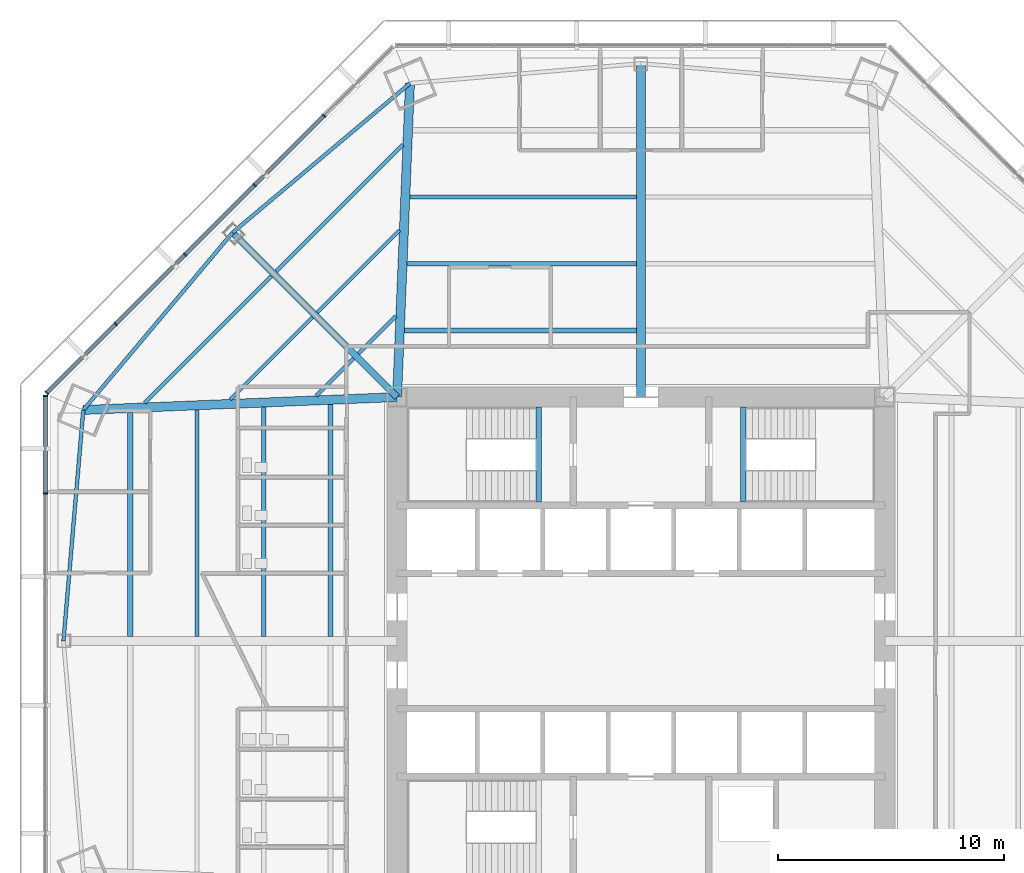
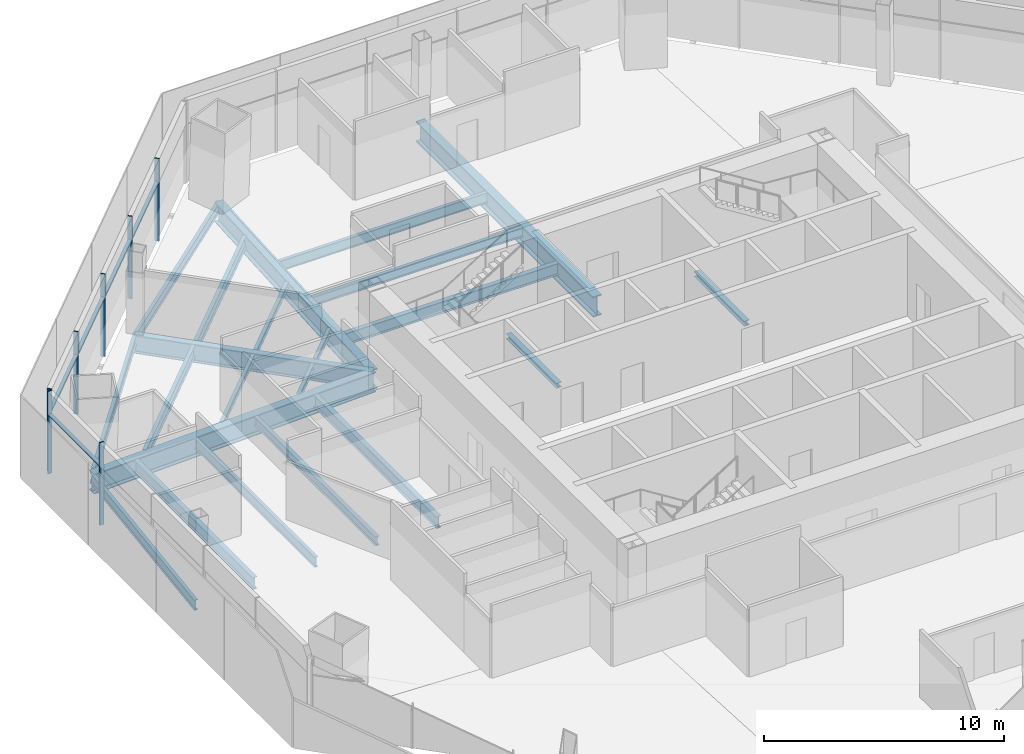
# One storey, part 5 of 15: 22 beams, 12 members, 2 elements without a shape of their own.
"""IFC4 building model written with IfcOpenShell, lengths in metres."""

from ifc_helpers import new_model, si_unit, direction, frame, origin, origin_2d, place, context, subcontext, project, spatial, rectangle, i_section, extrude, source, transform, mapped, material, material_profile, profile_set, type_object, type_shapes, element, aggregate, save


model = new_model("IFC4")

# Units and contexts
model_context = context("Model", 3, precision=1e-05, world=origin(), true_north=direction((0.0, 1.0)))
body_context = subcontext(model_context, "Body", "Model", "MODEL_VIEW")
ifc_project = project(units=[si_unit("LENGTHUNIT", "METRE"), si_unit("AREAUNIT", "SQUARE_METRE"), si_unit("VOLUMEUNIT", "CUBIC_METRE"), si_unit("PLANEANGLEUNIT", "RADIAN"), si_unit("MASSUNIT", "GRAM", prefix="KILO")], contexts=[model_context])

# Site, building, storey
site_placement = place(None, origin())
site = spatial("IfcSite", under=ifc_project, at=site_placement, CompositionType="ELEMENT")
building_placement = place(site_placement, origin())
building = spatial("IfcBuilding", under=site, at=building_placement, Name="Mashrafa Tower", CompositionType="ELEMENT")
storey_placement = place(building_placement, frame((0.0, 0.0, 58.199951171875)))
storey = spatial("IfcBuildingStorey", under=building, at=storey_placement, Name="L12", CompositionType="ELEMENT", Elevation=58.199951171875)

# Beams
ifc_material_1 = material(Name="Steel ASTM A992", Category="steel")
ifc_material_profile_1 = material_profile(ifc_material_1, i_section(OverallWidth=0.164794921875, OverallDepth=0.309814453125, WebThickness=0.005859375, FlangeThickness=0.009765625, FilletRadius=0.007568359375, at=origin_2d()), Name="W12X26")
ifc_profile_set_1 = profile_set([ifc_material_profile_1], Name="Steel ASTM A992")
beam_type_1 = type_object("IfcBeamType", Name="Beam W12X26", PredefinedType="BEAM", material=ifc_profile_set_1)
beam_1_placement = place(storey_placement, frame((-18.185546875, 10.697265625, -0.31982421875), z_axis=(0.707106781187, 0.707106781187, 0.0), x_axis=(-0.707106781187, 0.707106781187, 0.0)))
element("IfcBeam", 1, at=beam_1_placement, inside=storey, type_object=beam_type_1, Name="Floor beam L12 006", PredefinedType="BEAM", context=body_context, shape_type="SweptSolid", body=[
    extrude(i_section(OverallWidth=0.164794921875, OverallDepth=0.309814453125, WebThickness=0.005859375, FlangeThickness=0.009765625, FilletRadius=0.007568359375, at=origin_2d()), origin(), (0.0, 0.0, 1.0), 5.141357421875),
])
beam_2_placement = place(storey_placement, frame((-14.38818359375, 10.853271484375, -0.31982421875), z_axis=(0.707106781187, 0.707106781187, 0.0), x_axis=(-0.707106781187, 0.707106781187, 0.0)))
element("IfcBeam", 2, at=beam_2_placement, inside=storey, type_object=beam_type_1, Name="Floor beam L12 011", PredefinedType="BEAM", context=body_context, shape_type="SweptSolid", body=[
    extrude(i_section(OverallWidth=0.164794921875, OverallDepth=0.309814453125, WebThickness=0.005859375, FlangeThickness=0.009765625, FilletRadius=0.007568359375, at=origin_2d()), origin(), (0.0, 0.0, 1.0), 2.345703125),
])
beam_3_placement = place(storey_placement, frame((-14.332763671875, 14.550048828125, -0.31982421875), z_axis=(0.707106781187, 0.707106781187, 0.0), x_axis=(-0.707106781187, 0.707106781187, 0.0)))
element("IfcBeam", 3, at=beam_3_placement, inside=storey, type_object=beam_type_1, Name="Floor beam L12 013", PredefinedType="BEAM", context=body_context, shape_type="SweptSolid", body=[
    extrude(i_section(OverallWidth=0.164794921875, OverallDepth=0.309814453125, WebThickness=0.005859375, FlangeThickness=0.009765625, FilletRadius=0.007568359375, at=origin_2d()), origin(), (0.0, 0.0, 1.0), 5.141357421875),
])
beam_4_placement = place(storey_placement, frame((-12.511962890625, 12.7294921875, -0.31982421875), z_axis=(0.707106781187, 0.707106781187, 0.0), x_axis=(-0.707106781187, 0.707106781187, 0.0)))
element("IfcBeam", 4, at=beam_4_placement, inside=storey, type_object=beam_type_1, Name="Floor beam L12 017", PredefinedType="BEAM", context=body_context, shape_type="SweptSolid", body=[
    extrude(i_section(OverallWidth=0.164794921875, OverallDepth=0.309814453125, WebThickness=0.005859375, FlangeThickness=0.009765625, FilletRadius=0.007568359375, at=origin_2d()), origin(), (0.0, 0.0, 1.0), 2.345703125),
])
ifc_material_2 = material(Name="Steel ASTM A992", Category="steel")
ifc_material_profile_2 = material_profile(ifc_material_2, i_section(OverallWidth=0.191162109375, OverallDepth=0.459716796875, WebThickness=0.010009765625, FlangeThickness=0.01611328125, FilletRadius=0.01025390625, at=origin_2d()), Name="W18X55")
ifc_profile_set_2 = profile_set([ifc_material_profile_2], Name="Steel ASTM A992")
beam_type_2 = type_object("IfcBeamType", Name="Beam W18X55", PredefinedType="BEAM", material=ifc_profile_set_2)
for number, where, z_axis, x_axis, name in (
    (5, (-16.709228515625, 0.20458984375, -0.394775390625), (0.0, 1.0, 0.0), (-1.0, 0.0, 0.0), "Floor beam L12 008"),
    (6, (-10.356201171875, 16.709228515625, -0.394775390625), (1.0, 0.0, 0.0), (0.0, 1.0, 0.0), "Floor beam L12 020"),
):
    element("IfcBeam", number, at=place(storey_placement, frame(where, z_axis=z_axis, x_axis=x_axis)), inside=storey, type_object=beam_type_2, Name=name, PredefinedType="BEAM", context=body_context, shape_type="SweptSolid", body=[
        extrude(i_section(OverallWidth=0.191162109375, OverallDepth=0.459716796875, WebThickness=0.010009765625, FlangeThickness=0.01611328125, FilletRadius=0.01025390625, at=origin_2d()), origin(), (0.0, 0.0, 1.0), 10.151611328125),
    ])
ifc_material_3 = material(Name="Steel ASTM A992", Category="steel")
ifc_material_profile_3 = material_profile(ifc_material_3, i_section(OverallWidth=0.165771484375, OverallDepth=0.5283203125, WebThickness=0.009765625, FlangeThickness=0.013671875, FilletRadius=0.012939453125, at=origin_2d()), Name="W21X50")
ifc_profile_set_3 = profile_set([ifc_material_profile_3], Name="Steel ASTM A992")
beam_type_3 = type_object("IfcBeamType", Name="Beam W21X50", PredefinedType="BEAM", material=ifc_profile_set_3)
for number, where, z_axis, x_axis, name in (
    (7, (-19.663818359375, 0.20458984375, -0.42919921875), (0.0, 1.0, 0.0), (-1.0, 0.0, 0.0), "Floor beam L12 005"),
    (8, (-10.23486328125, 19.663818359375, -0.42919921875), (1.0, 0.0, 0.0), (0.0, 1.0, 0.0), "Floor beam L12 022"),
):
    element("IfcBeam", number, at=place(storey_placement, frame(where, z_axis=z_axis, x_axis=x_axis)), inside=storey, type_object=beam_type_3, Name=name, PredefinedType="BEAM", context=body_context, shape_type="SweptSolid", body=[
        extrude(i_section(OverallWidth=0.165771484375, OverallDepth=0.5283203125, WebThickness=0.009765625, FlangeThickness=0.013671875, FilletRadius=0.012939453125, at=origin_2d()), origin(), (0.0, 0.0, 1.0), 10.0302734375),
    ])
for number, where, z_axis, x_axis, name in (
    (9, (-24.69482421875, 10.22900390625, -0.42919921875), (-0.08553670976, -0.996335019601, 0.0), (0.996335019601, -0.08553670976, 0.0), "Spandrel beam L12 075"),
    (10, (-18.082763671875, 18.082763671875, -0.42919921875), (-0.644042739495, -0.764989509538, 0.0), (0.764989509538, -0.644042739495, 0.0), "Spandrel beam L12 077"),
    (11, (-10.22900390625, 24.69482421875, -0.42919921875), (-0.764989509538, -0.644042739495, 0.0), (0.644042739495, -0.764989509538, 0.0), "Spandrel beam L12 079"),
):
    element("IfcBeam", number, at=place(storey_placement, frame(where, z_axis=z_axis, x_axis=x_axis)), inside=storey, type_object=beam_type_3, Name=name, PredefinedType="BEAM", context=body_context, shape_type="SweptSolid", body=[
        extrude(i_section(OverallWidth=0.165771484375, OverallDepth=0.5283203125, WebThickness=0.009765625, FlangeThickness=0.013671875, FilletRadius=0.012939453125, at=origin_2d()), origin(), (0.0, 0.0, 1.0), 10.2666015625),
    ])
ifc_material_4 = material(Name="Steel ASTM A992", Category="steel")
ifc_material_profile_4 = material_profile(ifc_material_4, i_section(OverallWidth=0.177978515625, OverallDepth=0.599365234375, WebThickness=0.010009765625, FlangeThickness=0.012939453125, FilletRadius=0.012939453125, at=origin_2d()), Name="W24X55")
ifc_profile_set_4 = profile_set([ifc_material_profile_4], Name="Steel ASTM A992")
beam_type_4 = type_object("IfcBeamType", Name="Beam W24X55", PredefinedType="BEAM", material=ifc_profile_set_4)
for number, where, z_axis, x_axis, name in (
    (12, (-21.98291015625, 10.541259765625, -0.464599609375), (0.707106781187, 0.707106781187, 0.0), (-0.707106781187, 0.707106781187, 0.0), "Floor beam L12 003"),
    (13, (-16.1533203125, 16.370849609375, -0.464599609375), (0.707106781187, 0.707106781187, 0.0), (-0.707106781187, 0.707106781187, 0.0), "Floor beam L12 010"),
):
    element("IfcBeam", number, at=place(storey_placement, frame(where, z_axis=z_axis, x_axis=x_axis)), inside=storey, type_object=beam_type_4, Name=name, PredefinedType="BEAM", context=body_context, shape_type="SweptSolid", body=[
        extrude(i_section(OverallWidth=0.177978515625, OverallDepth=0.599365234375, WebThickness=0.010009765625, FlangeThickness=0.012939453125, FilletRadius=0.012939453125, at=origin_2d()), origin(), (0.0, 0.0, 1.0), 7.936767578125),
    ])
ifc_material_5 = material(Name="Steel ASTM A992", Category="steel")
ifc_material_profile_5 = material_profile(ifc_material_5, i_section(OverallWidth=0.227783203125, OverallDepth=0.60205078125, WebThickness=0.010498046875, FlangeThickness=0.014892578125, FilletRadius=0.012939453125, at=origin_2d()), Name="W24X68")
ifc_profile_set_5 = profile_set([ifc_material_profile_5], Name="Steel ASTM A992")
beam_type_5 = type_object("IfcBeamType", Name="Beam W24X68", PredefinedType="BEAM", material=ifc_profile_set_5)
for number, where, z_axis, x_axis, name in (
    (14, (-13.754638671875, 0.20458984375, -0.4658203125), (0.0, 1.0, 0.0), (-1.0, 0.0, 0.0), "Floor beam L12 015"),
    (15, (-10.477783203125, 13.754638671875, -0.4658203125), (1.0, 0.0, 0.0), (0.0, 1.0, 0.0), "Floor beam L12 018"),
):
    element("IfcBeam", number, at=place(storey_placement, frame(where, z_axis=z_axis, x_axis=x_axis)), inside=storey, type_object=beam_type_5, Name=name, PredefinedType="BEAM", context=body_context, shape_type="SweptSolid", body=[
        extrude(i_section(OverallWidth=0.227783203125, OverallDepth=0.60205078125, WebThickness=0.010498046875, FlangeThickness=0.014892578125, FilletRadius=0.012939453125, at=origin_2d()), origin(), (0.0, 0.0, 1.0), 10.273193359375),
    ])
ifc_material_6 = material(Name="Steel ASTM A992", Category="steel")
ifc_material_profile_6 = material_profile(ifc_material_6, i_section(OverallWidth=0.228271484375, OverallDepth=0.607177734375, WebThickness=0.01123046875, FlangeThickness=0.017333984375, FilletRadius=0.0126953125, at=origin_2d()), Name="W24X76")
ifc_profile_set_6 = profile_set([ifc_material_profile_6], Name="Steel ASTM A992")
beam_type_6 = type_object("IfcBeamType", Name="Beam W24X76", PredefinedType="BEAM", material=ifc_profile_set_6)
beam_5_placement = place(storey_placement, frame((-22.618408203125, 0.20458984375, -0.468505859375), z_axis=(0.0, 1.0, 0.0), x_axis=(-1.0, 0.0, 0.0)))
element("IfcBeam", 16, at=beam_5_placement, inside=storey, type_object=beam_type_6, Name="Floor beam L12 002", PredefinedType="BEAM", context=body_context, shape_type="SweptSolid", body=[
    extrude(i_section(OverallWidth=0.228271484375, OverallDepth=0.607177734375, WebThickness=0.01123046875, FlangeThickness=0.017333984375, FilletRadius=0.0126953125, at=origin_2d()), origin(), (0.0, 0.0, 1.0), 9.90869140625),
])
ifc_material_7 = material(Name="Steel ASTM A992", Category="steel")
ifc_material_profile_7 = material_profile(ifc_material_7, i_section(OverallWidth=0.307373046875, OverallDepth=0.927001953125, WebThickness=0.01953125, FlangeThickness=0.031982421875, FilletRadius=0.01904296875, at=origin_2d()), Name="W36X194")
ifc_profile_set_7 = profile_set([ifc_material_profile_7], Name="Steel ASTM A992")
beam_type_7 = type_object("IfcBeamType", Name="Beam W36X194", PredefinedType="BEAM", material=ifc_profile_set_7)
beam_6_placement = place(storey_placement, frame((-10.800048828125, 10.800048828125, -0.62841796875), z_axis=(-0.707106781187, 0.707106781187, 0.0), x_axis=(-0.707106781187, -0.707106781187, 0.0)))
element("IfcBeam", 17, at=beam_6_placement, inside=storey, type_object=beam_type_7, Name="Radial girder L12 062", PredefinedType="BEAM", context=body_context, shape_type="SweptSolid", body=[
    extrude(i_section(OverallWidth=0.307373046875, OverallDepth=0.927001953125, WebThickness=0.01953125, FlangeThickness=0.031982421875, FilletRadius=0.01904296875, at=origin_2d()), origin(), (0.0, 0.0, 1.0), 10.29931640625),
])
ifc_material_8 = material(Name="Steel ASTM A992", Category="steel")
ifc_material_profile_8 = material_profile(ifc_material_8, i_section(OverallWidth=0.4013671875, OverallDepth=1.010986328125, WebThickness=0.023681640625, FlangeThickness=0.0419921875, FilletRadius=0.02001953125, at=origin_2d()), Name="W40X297")
ifc_profile_set_8 = profile_set([ifc_material_profile_8], Name="Steel ASTM A992")
beam_type_8 = type_object("IfcBeamType", Name="Beam W40X297", PredefinedType="BEAM", material=ifc_profile_set_8)
for number, where, z_axis, x_axis, name in (
    (18, (-10.800048828125, 10.800048828125, -0.67041015625), (-0.999156553067, -0.041063152138, 0.0), (0.041063152138, -0.999156553067, 0.0), "Radial girder L12 061"),
    (19, (-10.800048828125, 10.800048828125, -0.67041015625), (0.041063152138, 0.999156553067, 0.0), (-0.999156553067, 0.041063152138, 0.0), "Radial girder L12 063"),
):
    element("IfcBeam", number, at=place(storey_placement, frame(where, z_axis=z_axis, x_axis=x_axis)), inside=storey, type_object=beam_type_8, Name=name, PredefinedType="BEAM", context=body_context, shape_type="SweptSolid", body=[
        extrude(i_section(OverallWidth=0.4013671875, OverallDepth=1.010986328125, WebThickness=0.023681640625, FlangeThickness=0.0419921875, FilletRadius=0.02001953125, at=origin_2d()), origin(), (0.0, 0.0, 1.0), 13.906494140625),
    ])
ifc_material_9 = material(Name="Steel ASTM A992", Category="steel")
ifc_material_profile_9 = material_profile(ifc_material_9, i_section(OverallWidth=0.408935546875, OverallDepth=1.04150390625, WebThickness=0.031005859375, FlangeThickness=0.055908203125, FilletRadius=0.020263671875, at=origin_2d()), Name="W40X397")
ifc_profile_set_9 = profile_set([ifc_material_profile_9], Name="Steel ASTM A992")
beam_type_9 = type_object("IfcBeamType", Name="Beam W40X397", PredefinedType="BEAM", material=ifc_profile_set_9)
beam_7_placement = place(storey_placement, frame((0.0, 10.800048828125, -0.685546875), z_axis=(0.0, 1.0, 0.0), x_axis=(-1.0, 0.0, 0.0)))
element("IfcBeam", 20, at=beam_7_placement, inside=storey, type_object=beam_type_9, Name="Radial girder L12 065", PredefinedType="BEAM", context=body_context, shape_type="SweptSolid", body=[
    extrude(i_section(OverallWidth=0.408935546875, OverallDepth=1.04150390625, WebThickness=0.031005859375, FlangeThickness=0.055908203125, FilletRadius=0.020263671875, at=origin_2d()), origin(), (0.0, 0.0, 1.0), 14.77294921875),
])
ifc_material_10 = material(Name="Steel ASTM A992", Category="steel")
ifc_material_profile_10 = material_profile(ifc_material_10, i_section(OverallWidth=0.25390625, OverallDepth=0.25390625, WebThickness=0.008544921875, FlangeThickness=0.01416015625, FilletRadius=0.010009765625, at=origin_2d()), Name="W10X49")
ifc_profile_set_10 = profile_set([ifc_material_profile_10], Name="Steel ASTM A992")
beam_type_10 = type_object("IfcBeamType", Name="Hoistway beam W10X49", PredefinedType="BEAM", material=ifc_profile_set_10)
for number, where, z_axis, x_axis, name in (
    (21, (-4.530029296875, 6.14990234375, -0.326904296875), (0.0, 1.0, 0.0), (-1.0, 0.0, 0.0), "Stair S1 landing beam L12"),
    (22, (4.530029296875, 6.14990234375, -0.326904296875), (0.0, 1.0, 0.0), (-1.0, 0.0, 0.0), "Stair S2 landing beam L12"),
):
    element("IfcBeam", number, at=place(storey_placement, frame(where, z_axis=z_axis, x_axis=x_axis)), inside=storey, type_object=beam_type_10, Name=name, PredefinedType="BEAM", context=body_context, shape_type="SweptSolid", body=[
        extrude(i_section(OverallWidth=0.25390625, OverallDepth=0.25390625, WebThickness=0.008544921875, FlangeThickness=0.01416015625, FilletRadius=0.010009765625, at=origin_2d()), origin(), (0.0, 0.0, 1.0), 4.2001953125),
    ])

# Curtain wall, members
ifc_material_11 = material(Name="Unitised aluminium curtain wall", Category="aluminium")
curtain_wall_type = type_object("IfcCurtainWallType", Name="Office curtain wall, zone 1 CW-A 200 deep", PredefinedType="NOTDEFINED", material=ifc_material_11)
curtain_wall_1_placement = place(storey_placement, origin())
curtain_wall_1 = element("IfcCurtainWall", 23, at=curtain_wall_1_placement, inside=storey, type_object=curtain_wall_type, Name="Office curtain wall, zone 1 L12 north-west", PredefinedType="NOTDEFINED")
ifc_material_12 = material(Name="Extruded aluminium mullion", Category="aluminium")
ifc_material_profile_11 = material_profile(ifc_material_12, rectangle(XDim=0.199951171875, YDim=0.06494140625, at=origin_2d()), Name="Mullion 65x200")
ifc_profile_set_11 = profile_set([ifc_material_profile_11], Name="Extruded aluminium mullion")
member_type_1 = type_object("IfcMemberType", Name="Mullion CW-A 65 x 200", PredefinedType="MULLION", material=ifc_profile_set_11)
shared_shape_1 = source(origin(), body_context, "Body", "SweptSolid", [
    extrude(rectangle(XDim=0.199951171875, YDim=0.06494140625, at=origin_2d()), origin(), (0.0, 0.0, 1.0), 4.199951171875),
])
type_shapes(member_type_1, [shared_shape_1])
member_1_placement = place(storey_placement, frame((-14.033203125, 23.25732421875, 0.0), z_axis=(0.0, 0.0, 1.0), x_axis=(0.707106781187, -0.707106781187, 0.0)))
member_1 = element("IfcMember", 24, at=member_1_placement, type_object=member_type_1, Name="CW-A mullion 2", PredefinedType="MULLION", context=body_context, shape_type="MappedRepresentation", body=[
    mapped(shared_shape_1, transform((0.0, 0.0, 0.0))),
])
member_2_placement = place(storey_placement, frame((-17.10791015625, 20.1826171875, 0.0), z_axis=(0.0, 0.0, 1.0), x_axis=(0.707106781187, -0.707106781187, 0.0)))
member_2 = element("IfcMember", 25, at=member_2_placement, type_object=member_type_1, Name="CW-A mullion 3", PredefinedType="MULLION", context=body_context, shape_type="MappedRepresentation", body=[
    mapped(shared_shape_1, transform((0.0, 0.0, 0.0))),
])
member_3_placement = place(storey_placement, frame((-20.1826171875, 17.10791015625, 0.0), z_axis=(0.0, 0.0, 1.0), x_axis=(0.707106781187, -0.707106781187, 0.0)))
member_3 = element("IfcMember", 26, at=member_3_placement, type_object=member_type_1, Name="CW-A mullion 4", PredefinedType="MULLION", context=body_context, shape_type="MappedRepresentation", body=[
    mapped(shared_shape_1, transform((0.0, 0.0, 0.0))),
])
member_4_placement = place(storey_placement, frame((-23.25732421875, 14.033203125, 0.0), z_axis=(0.0, 0.0, 1.0), x_axis=(0.707106781187, -0.707106781187, 0.0)))
member_4 = element("IfcMember", 27, at=member_4_placement, type_object=member_type_1, Name="CW-A mullion 5", PredefinedType="MULLION", context=body_context, shape_type="MappedRepresentation", body=[
    mapped(shared_shape_1, transform((0.0, 0.0, 0.0))),
])
member_5_placement = place(storey_placement, frame((-26.30908203125, 10.9814453125, 0.0), z_axis=(0.0, 0.0, 1.0), x_axis=(0.707106781187, -0.707106781187, 0.0)))
member_5 = element("IfcMember", 28, at=member_5_placement, type_object=member_type_1, Name="CW-A mullion 6", PredefinedType="MULLION", context=body_context, shape_type="MappedRepresentation", body=[
    mapped(shared_shape_1, transform((0.0, 0.0, 0.0))),
])

curtain_wall_2_placement = place(storey_placement, origin())
curtain_wall_2 = element("IfcCurtainWall", 29, at=curtain_wall_2_placement, inside=storey, type_object=curtain_wall_type, Name="Office curtain wall, zone 1 L12 west", PredefinedType="NOTDEFINED")
member_6_placement = place(storey_placement, frame((-26.368408203125, 10.838134765625, 0.0), z_axis=(0.0, 0.0, 1.0), x_axis=(1.0, 0.0, 0.0)))
member_6 = element("IfcMember", 30, at=member_6_placement, type_object=member_type_1, Name="CW-A mullion 1", PredefinedType="MULLION", context=body_context, shape_type="MappedRepresentation", body=[
    mapped(shared_shape_1, transform((0.0, 0.0, 0.0))),
])
member_7_placement = place(storey_placement, frame((-26.368408203125, 6.5224609375, 0.0), z_axis=(0.0, 0.0, 1.0), x_axis=(1.0, 0.0, 0.0)))
member_7 = element("IfcMember", 31, at=member_7_placement, type_object=member_type_1, Name="CW-A mullion 2", PredefinedType="MULLION", context=body_context, shape_type="MappedRepresentation", body=[
    mapped(shared_shape_1, transform((0.0, 0.0, 0.0))),
])

# Member
ifc_material_13 = material(Name="Extruded aluminium transom", Category="aluminium")
ifc_material_profile_12 = material_profile(ifc_material_13, rectangle(XDim=0.159912109375, YDim=0.080078125, at=origin_2d()), Name="Transom 80x160")
ifc_profile_set_12 = profile_set([ifc_material_profile_12], Name="Extruded aluminium transom")
member_type_2 = type_object("IfcMemberType", Name="Transom CW-A 80 x 160", PredefinedType="MULLION", material=ifc_profile_set_12)
shared_shape_2 = source(origin(), body_context, "Body", "SweptSolid", [
    extrude(rectangle(XDim=0.159912109375, YDim=0.080078125, at=origin_2d()), origin(), (0.0, 0.0, 1.0), 4.250732421875),
])
member_8_placement = place(storey_placement, frame((-23.2802734375, 14.01025390625, 3.0), z_axis=(-0.707078063275, -0.707135497932, 0.0), x_axis=(0.707135497932, -0.707078063275, 0.0)))
member_8 = element("IfcMember", 32, at=member_8_placement, type_object=member_type_2, Name="CW-A transom 5", PredefinedType="MULLION", context=body_context, shape_type="MappedRepresentation", body=[
    mapped(shared_shape_2, transform((0.0, 0.0, 0.0))),
])

member_9_placement = place(storey_placement, frame((-26.368408203125, 10.8056640625, 3.0), z_axis=(0.0, -1.0, 0.0), x_axis=(1.0, 0.0, 0.0)))
member_9 = element("IfcMember", 33, at=member_9_placement, type_object=member_type_2, Name="CW-A transom 1", PredefinedType="MULLION", context=body_context, shape_type="MappedRepresentation", body=[
    mapped(shared_shape_2, transform((0.0, 0.0, 0.0))),
])

aggregate(curtain_wall_2, [member_6, member_7, member_9])

shared_shape_3 = source(origin(), body_context, "Body", "SweptSolid", [
    extrude(rectangle(XDim=0.159912109375, YDim=0.080078125, at=origin_2d()), origin(), (0.0, 0.0, 1.0), 4.283447265625),
])
type_shapes(member_type_2, [shared_shape_2, shared_shape_3])
member_10_placement = place(storey_placement, frame((-14.05615234375, 23.234375, 3.0), z_axis=(-0.707106781187, -0.707106781187, 0.0), x_axis=(0.707106781187, -0.707106781187, 0.0)))
member_10 = element("IfcMember", 34, at=member_10_placement, type_object=member_type_2, Name="CW-A transom 2", PredefinedType="MULLION", context=body_context, shape_type="MappedRepresentation", body=[
    mapped(shared_shape_3, transform((0.0, 0.0, 0.0))),
])

member_11_placement = place(storey_placement, frame((-17.130859375, 20.15966796875, 3.0), z_axis=(-0.707106781187, -0.707106781187, 0.0), x_axis=(0.707106781187, -0.707106781187, 0.0)))
member_11 = element("IfcMember", 35, at=member_11_placement, type_object=member_type_2, Name="CW-A transom 3", PredefinedType="MULLION", context=body_context, shape_type="MappedRepresentation", body=[
    mapped(shared_shape_3, transform((0.0, 0.0, 0.0))),
])

member_12_placement = place(storey_placement, frame((-20.20556640625, 17.0849609375, 3.0), z_axis=(-0.707106781187, -0.707106781187, 0.0), x_axis=(0.707106781187, -0.707106781187, 0.0)))
member_12 = element("IfcMember", 36, at=member_12_placement, type_object=member_type_2, Name="CW-A transom 4", PredefinedType="MULLION", context=body_context, shape_type="MappedRepresentation", body=[
    mapped(shared_shape_3, transform((0.0, 0.0, 0.0))),
])

aggregate(curtain_wall_1, [member_1, member_2, member_3, member_4, member_5, member_10, member_11, member_12, member_8])

save(model, "model.ifc")
